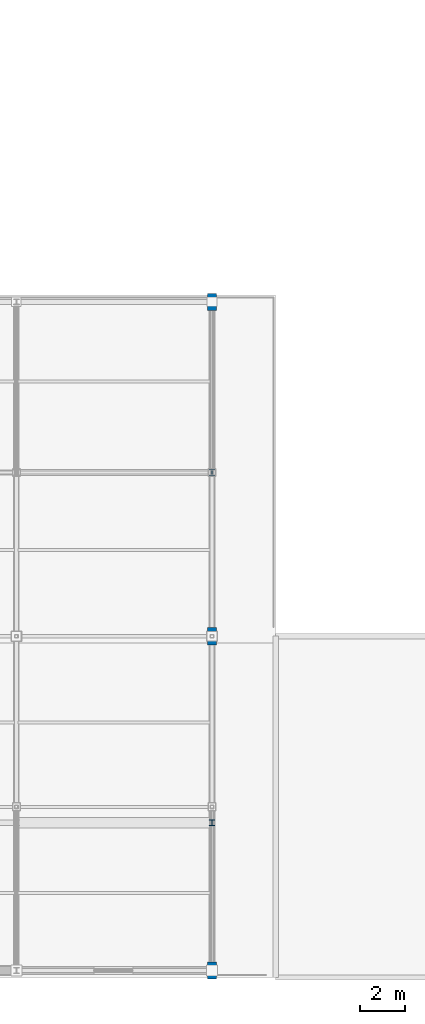
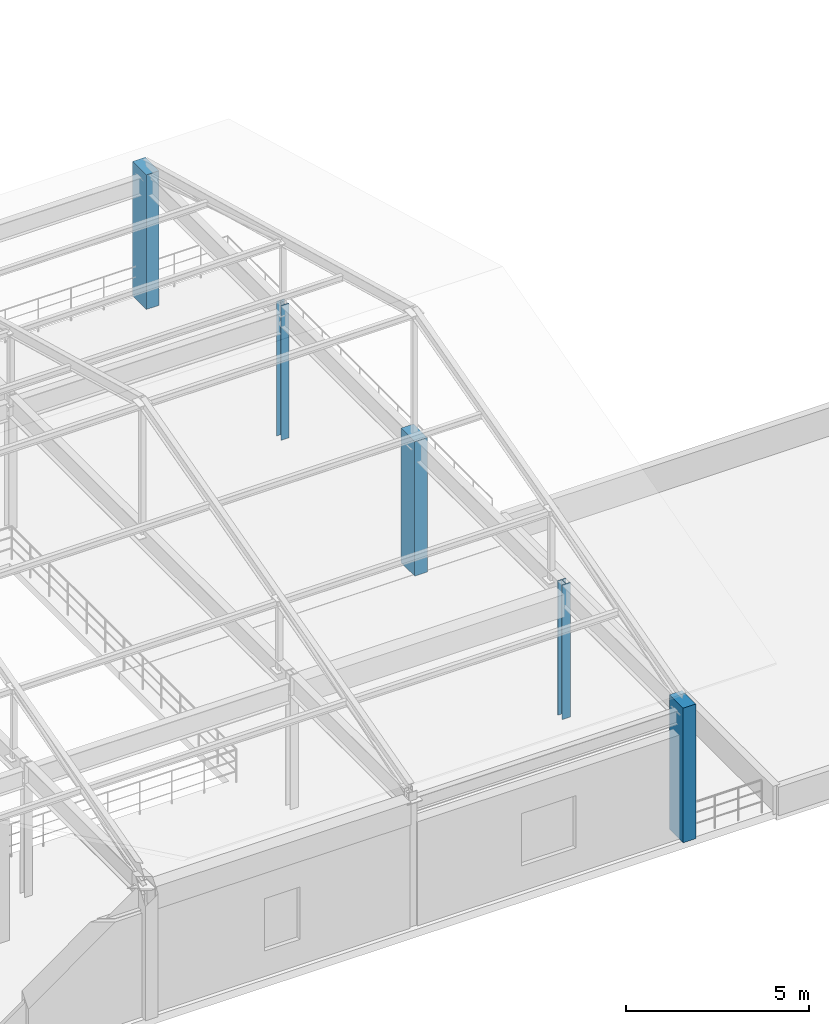
# One storey, part 4 of 112: 5 columns.
"""IFC4 building model written with IfcOpenShell, lengths in metres."""

from ifc_helpers import new_model, si_unit, direction, frame, origin, origin_2d, place, context, subcontext, project, spatial, rectangle, i_section, extrude, material, material_profile, profile_set, type_object, element, save


model = new_model("IFC4")

# Units and contexts
model_context = context("Model", 3, precision=1e-05, world=origin(), true_north=direction((0.0, 1.0)))
body_context = subcontext(model_context, "Body", "Model", "MODEL_VIEW")
ifc_project = project(units=[si_unit("LENGTHUNIT", "METRE"), si_unit("AREAUNIT", "SQUARE_METRE"), si_unit("VOLUMEUNIT", "CUBIC_METRE"), si_unit("PLANEANGLEUNIT", "RADIAN"), si_unit("MASSUNIT", "GRAM", prefix="KILO")], contexts=[model_context])

# Site, building, storey
site_placement = place(None, origin())
site = spatial("IfcSite", under=ifc_project, at=site_placement, CompositionType="ELEMENT")
building_placement = place(site_placement, origin())
building = spatial("IfcBuilding", under=site, at=building_placement, Name="Cinderbank Siding Concert Hall", CompositionType="ELEMENT")
storey_placement = place(building_placement, frame((0.0, 0.0, 10.199951171875)))
storey = spatial("IfcBuildingStorey", under=building, at=storey_placement, Name="L03", CompositionType="ELEMENT", Elevation=10.199951171875)

# Columns
ifc_material_1 = material(Name="Structural steel AS/NZS 3679.1 Grade 350 (340 MPa)", Category="steel")
ifc_material_profile_1 = material_profile(ifc_material_1, i_section(OverallWidth=0.25390625, OverallDepth=0.25390625, WebThickness=0.008544921875, FlangeThickness=0.01416015625, at=origin_2d()), Name="250UC72.9", Category="LoadBearing")
ifc_profile_set_1 = profile_set([ifc_material_profile_1], Name="Structural steel AS/NZS 3679.1 Grade 350 (340 MPa)")
column_type_1 = type_object("IfcColumnType", Name="C-UC250 250UC72.9", PredefinedType="COLUMN", material=ifc_profile_set_1)
for number, where, z_axis, x_axis, name in (
    (1, (46.0, 12.60009765625, 0.0), (0.0, 0.0, 1.0), (1.0, 0.0, 0.0), "L03 Column COL-V2-6-2"),
    (2, (46.0, 28.0, 0.0), (0.0, 0.0, 1.0), (1.0, 0.0, 0.0), "L03 Column COL-V2-6-4"),
):
    element("IfcColumn", number, at=place(storey_placement, frame(where, z_axis=z_axis, x_axis=x_axis)), inside=storey, type_object=column_type_1, Name=name, PredefinedType="COLUMN", context=body_context, shape_type="SweptSolid", body=[
        extrude(i_section(OverallWidth=0.25390625, OverallDepth=0.25390625, WebThickness=0.008544921875, FlangeThickness=0.01416015625, at=origin_2d()), origin(), (0.0, 0.0, 1.0), 4.5),
    ])
ifc_material_2 = material(Name="Reinforced concrete AS 3600 N50 (50 MPa)", Category="concrete")
ifc_material_profile_2 = material_profile(ifc_material_2, rectangle(XDim=0.39990234375, YDim=0.75, at=origin_2d()), Name="RC-PIER-400x750", Category="LoadBearing")
ifc_profile_set_2 = profile_set([ifc_material_profile_2], Name="Reinforced concrete AS 3600 N50 (50 MPa)")
column_type_2 = type_object("IfcColumnType", Name="PL-RC750 RC-PIER-400x750", PredefinedType="PILASTER", material=ifc_profile_set_2)
for number, where, z_axis, x_axis, name in (
    (3, (46.0, 6.10009765625, 0.0), (0.0, 0.0, 1.0), (1.0, 0.0, 0.0), "L03 Column COL-V2-6-1"),
    (4, (46.0, 20.800048828125, 0.0), (0.0, 0.0, 1.0), (1.0, 0.0, 0.0), "L03 Column COL-V2-6-3"),
    (5, (46.0, 35.5, 0.0), (0.0, 0.0, 1.0), (1.0, 0.0, 0.0), "L03 Column COL-V2-6-5"),
):
    element("IfcColumn", number, at=place(storey_placement, frame(where, z_axis=z_axis, x_axis=x_axis)), inside=storey, type_object=column_type_2, Name=name, PredefinedType="PILASTER", context=body_context, shape_type="SweptSolid", body=[
        extrude(rectangle(XDim=0.39990234375, YDim=0.75, at=origin_2d()), origin(), (0.0, 0.0, 1.0), 4.5),
    ])

save(model, "model.ifc")
